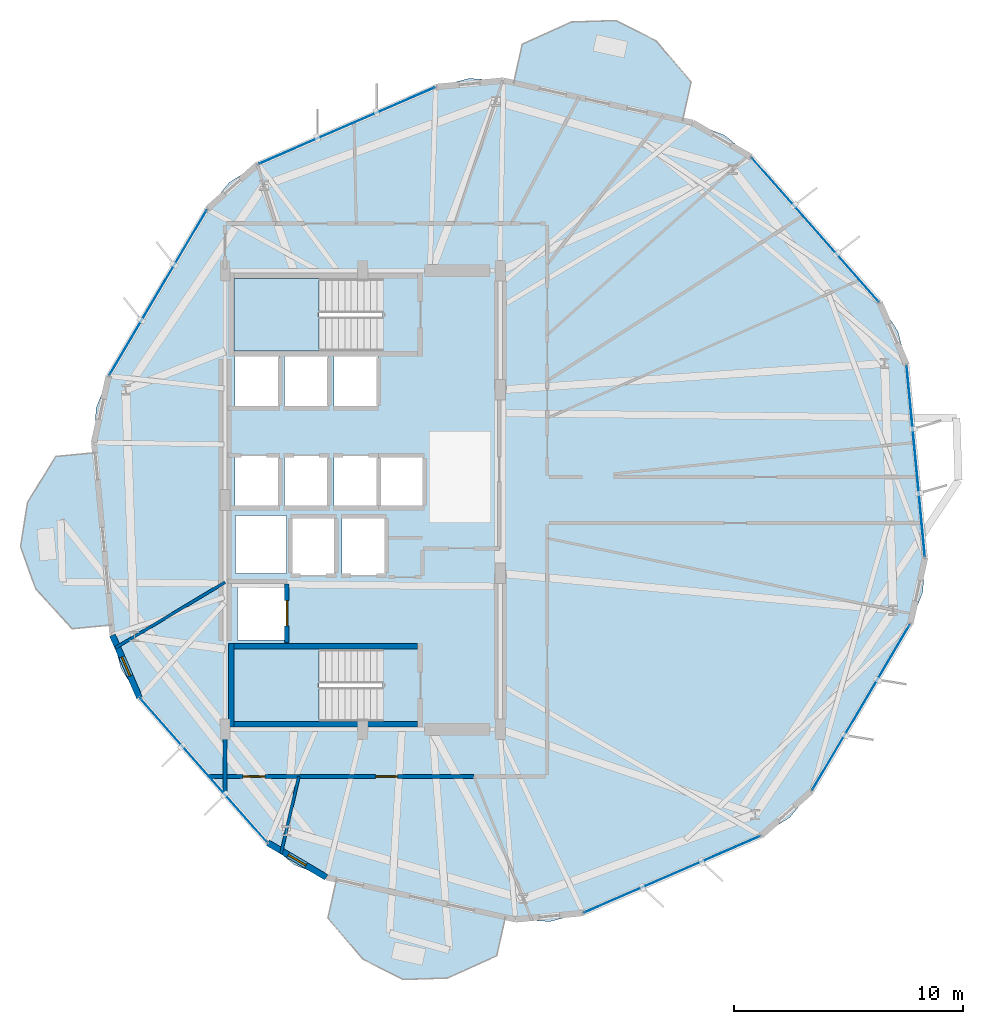
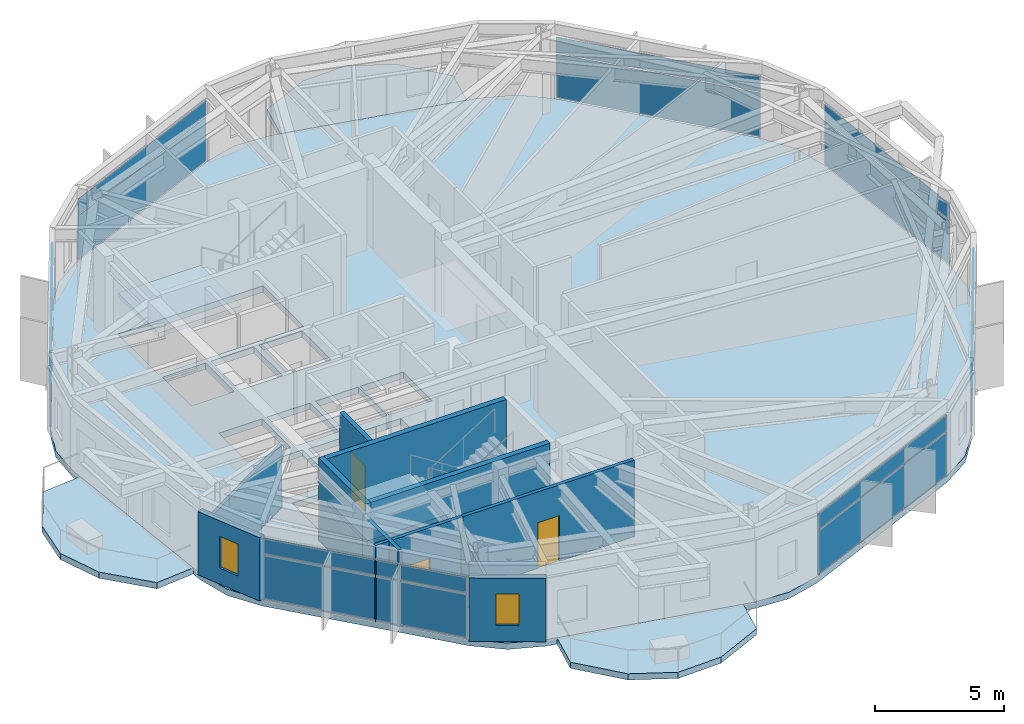
# One storey, part 17 of 23: 14 plates, 11 walls, 6 slabs, 3 doors, 2 windows, 5 openings, 9 elements without a shape of their own.
"""IFC4 building model written with IfcOpenShell, lengths in metres."""

from ifc_helpers import new_model, si_unit, direction, frame, frame_2d, origin, origin_2d, place, context, subcontext, project, spatial, polyline, rectangle, outline, extrude, material, layer, layer_set, type_object, element, fill, aggregate, save


model = new_model("IFC4")

# Units and contexts
model_context = context("Model", 3, precision=1e-05, world=origin(), true_north=direction((0.0, 1.0)))
body_context = subcontext(model_context, "Body", "Model", "MODEL_VIEW")
ifc_project = project(units=[si_unit("LENGTHUNIT", "METRE"), si_unit("AREAUNIT", "SQUARE_METRE"), si_unit("VOLUMEUNIT", "CUBIC_METRE"), si_unit("PLANEANGLEUNIT", "RADIAN"), si_unit("MASSUNIT", "GRAM", prefix="KILO")], contexts=[model_context])

# Site, building, storey
site_placement = place(None, origin())
site = spatial("IfcSite", under=ifc_project, at=site_placement, CompositionType="ELEMENT")
building_placement = place(site_placement, origin())
building = spatial("IfcBuilding", under=site, at=building_placement, Name="Soratama Intermodal Tower", CompositionType="ELEMENT")
storey_placement = place(building_placement, frame((0.0, 0.0, 118.60009765625)))
storey = spatial("IfcBuildingStorey", under=building, at=storey_placement, Name="L28", CompositionType="ELEMENT", Elevation=118.60009765625)

# Curtain wall, plates
ifc_material_1 = material(Name="Double-glazed aluminium curtain wall", Category="aluminium")
ifc_layer_1 = layer(ifc_material_1, 0.159912109375)
ifc_layer_set_1 = layer_set([ifc_layer_1], Name="Double-glazed aluminium curtain wall")
curtain_wall_type = type_object("IfcCurtainWallType", Name="CW-SYS-3", PredefinedType="NOTDEFINED", material=ifc_layer_set_1)
curtain_wall_1_placement = place(storey_placement, origin())
curtain_wall_1 = element("IfcCurtainWall", 1, at=curtain_wall_1_placement, inside=storey, type_object=curtain_wall_type, Name="L28 Faceted Curtain Wall F01", PredefinedType="NOTDEFINED")
ifc_material_2 = material(Name="Low-E laminated double glazing", Category="glass")
ifc_layer_2 = layer(ifc_material_2, 0.028076171875)
ifc_layer_set_2 = layer_set([ifc_layer_2], Name="Low-E laminated double glazing")
plate_type = type_object("IfcPlateType", Name="PT-CWP-3", PredefinedType="CURTAIN_PANEL", material=ifc_layer_set_2)
plate_1_placement = place(storey_placement, frame((58.33203125, 36.778564453125, 0.059814453125), z_axis=(0.0, 0.0, 1.0), x_axis=(-0.662097550877, 0.749417662671, 0.0)))
plate_1 = element("IfcPlate", 2, at=plate_1_placement, type_object=plate_type, Name="CW-3 panel 1.1", PredefinedType="CURTAIN_PANEL", context=body_context, shape_type="SweptSolid", body=[
    extrude(rectangle(XDim=8.3212890625, YDim=0.028076171875, at=origin_2d()), origin(), (0.0, 0.0, 1.0), 2.06005859375),
])
plate_2_placement = place(storey_placement, frame((58.33203125, 36.778564453125, 2.1796875), z_axis=(0.0, 0.0, 1.0), x_axis=(-0.662097550877, 0.749417662671, 0.0)))
plate_2 = element("IfcPlate", 3, at=plate_2_placement, type_object=plate_type, Name="CW-3 panel 1.2", PredefinedType="CURTAIN_PANEL", context=body_context, shape_type="SweptSolid", body=[
    extrude(rectangle(XDim=8.3212890625, YDim=0.028076171875, at=origin_2d()), origin(), (0.0, 0.0, 1.0), 0.739013671875),
])
aggregate(curtain_wall_1, [plate_1, plate_2])

curtain_wall_2_placement = place(storey_placement, origin())
curtain_wall_2 = element("IfcCurtainWall", 4, at=curtain_wall_2_placement, inside=storey, type_object=curtain_wall_type, Name="L28 Faceted Curtain Wall F03", PredefinedType="NOTDEFINED")
plate_3_placement = place(storey_placement, frame((37.917724609375, 41.3193359375, 0.059814453125), z_axis=(0.0, 0.0, 1.0), x_axis=(-0.917340113401, -0.398104403825, 0.0)))
plate_3 = element("IfcPlate", 5, at=plate_3_placement, type_object=plate_type, Name="CW-3 panel 1.1", PredefinedType="CURTAIN_PANEL", context=body_context, shape_type="SweptSolid", body=[
    extrude(rectangle(XDim=8.3212890625, YDim=0.028076171875, at=origin_2d()), origin(), (0.0, 0.0, 1.0), 2.06005859375),
])
plate_4_placement = place(storey_placement, frame((37.917724609375, 41.3193359375, 2.1796875), z_axis=(0.0, 0.0, 1.0), x_axis=(-0.917340113401, -0.398104403825, 0.0)))
plate_4 = element("IfcPlate", 6, at=plate_4_placement, type_object=plate_type, Name="CW-3 panel 1.2", PredefinedType="CURTAIN_PANEL", context=body_context, shape_type="SweptSolid", body=[
    extrude(rectangle(XDim=8.3212890625, YDim=0.028076171875, at=origin_2d()), origin(), (0.0, 0.0, 1.0), 0.739013671875),
])
aggregate(curtain_wall_2, [plate_3, plate_4])

curtain_wall_3_placement = place(storey_placement, origin())
curtain_wall_3 = element("IfcCurtainWall", 7, at=curtain_wall_3_placement, inside=storey, type_object=curtain_wall_type, Name="L28 Faceted Curtain Wall F04", PredefinedType="NOTDEFINED")
plate_5_placement = place(storey_placement, frame((29.677978515625, 34.039794921875, 0.059814453125), z_axis=(0.0, 0.0, 1.0), x_axis=(-0.508147280212, -0.861270190831, 0.0)))
plate_5 = element("IfcPlate", 8, at=plate_5_placement, type_object=plate_type, Name="CW-3 panel 1.1", PredefinedType="CURTAIN_PANEL", context=body_context, shape_type="SweptSolid", body=[
    extrude(rectangle(XDim=8.3212890625, YDim=0.028076171875, at=origin_2d()), origin(), (0.0, 0.0, 1.0), 2.06005859375),
])
plate_6_placement = place(storey_placement, frame((29.677978515625, 34.039794921875, 2.1796875), z_axis=(0.0, 0.0, 1.0), x_axis=(-0.508147280212, -0.861270190831, 0.0)))
plate_6 = element("IfcPlate", 9, at=plate_6_placement, type_object=plate_type, Name="CW-3 panel 1.2", PredefinedType="CURTAIN_PANEL", context=body_context, shape_type="SweptSolid", body=[
    extrude(rectangle(XDim=8.3212890625, YDim=0.028076171875, at=origin_2d()), origin(), (0.0, 0.0, 1.0), 0.739013671875),
])
aggregate(curtain_wall_3, [plate_5, plate_6])

curtain_wall_4_placement = place(storey_placement, origin())
curtain_wall_4 = element("IfcCurtainWall", 10, at=curtain_wall_4_placement, inside=storey, type_object=curtain_wall_type, Name="L28 Faceted Curtain Wall F06", PredefinedType="NOTDEFINED")
plate_7_placement = place(storey_placement, frame((31.66796875, 13.221435546875, 0.059814453125), z_axis=(0.0, 0.0, 1.0), x_axis=(0.662097550877, -0.749417662671, 0.0)))
plate_7 = element("IfcPlate", 11, at=plate_7_placement, type_object=plate_type, Name="CW-3 panel 1.1", PredefinedType="CURTAIN_PANEL", context=body_context, shape_type="SweptSolid", body=[
    extrude(rectangle(XDim=8.3212890625, YDim=0.028076171875, at=origin_2d()), origin(), (0.0, 0.0, 1.0), 2.06005859375),
])
plate_8_placement = place(storey_placement, frame((31.66796875, 13.221435546875, 2.1796875), z_axis=(0.0, 0.0, 1.0), x_axis=(0.662097550877, -0.749417662671, 0.0)))
plate_8 = element("IfcPlate", 12, at=plate_8_placement, type_object=plate_type, Name="CW-3 panel 1.2", PredefinedType="CURTAIN_PANEL", context=body_context, shape_type="SweptSolid", body=[
    extrude(rectangle(XDim=8.3212890625, YDim=0.028076171875, at=origin_2d()), origin(), (0.0, 0.0, 1.0), 0.739013671875),
])
aggregate(curtain_wall_4, [plate_7, plate_8])

curtain_wall_5_placement = place(storey_placement, origin())
curtain_wall_5 = element("IfcCurtainWall", 13, at=curtain_wall_5_placement, inside=storey, type_object=curtain_wall_type, Name="L28 Faceted Curtain Wall F08", PredefinedType="NOTDEFINED")
plate_9_placement = place(storey_placement, frame((52.082275390625, 8.6806640625, 0.059814453125), z_axis=(0.0, 0.0, 1.0), x_axis=(0.917340113401, 0.398104403825, 0.0)))
plate_9 = element("IfcPlate", 14, at=plate_9_placement, type_object=plate_type, Name="CW-3 panel 1.1", PredefinedType="CURTAIN_PANEL", context=body_context, shape_type="SweptSolid", body=[
    extrude(rectangle(XDim=8.3212890625, YDim=0.028076171875, at=origin_2d()), origin(), (0.0, 0.0, 1.0), 2.06005859375),
])
plate_10_placement = place(storey_placement, frame((52.082275390625, 8.6806640625, 2.1796875), z_axis=(0.0, 0.0, 1.0), x_axis=(0.917340113401, 0.398104403825, 0.0)))
plate_10 = element("IfcPlate", 15, at=plate_10_placement, type_object=plate_type, Name="CW-3 panel 1.2", PredefinedType="CURTAIN_PANEL", context=body_context, shape_type="SweptSolid", body=[
    extrude(rectangle(XDim=8.3212890625, YDim=0.028076171875, at=origin_2d()), origin(), (0.0, 0.0, 1.0), 0.739013671875),
])
aggregate(curtain_wall_5, [plate_9, plate_10])

curtain_wall_6_placement = place(storey_placement, origin())
curtain_wall_6 = element("IfcCurtainWall", 16, at=curtain_wall_6_placement, inside=storey, type_object=curtain_wall_type, Name="L28 Faceted Curtain Wall F09", PredefinedType="NOTDEFINED")
plate_11_placement = place(storey_placement, frame((60.322021484375, 15.960205078125, 0.059814453125), z_axis=(0.0, 0.0, 1.0), x_axis=(0.508147280212, 0.861270190831, 0.0)))
plate_11 = element("IfcPlate", 17, at=plate_11_placement, type_object=plate_type, Name="CW-3 panel 1.1", PredefinedType="CURTAIN_PANEL", context=body_context, shape_type="SweptSolid", body=[
    extrude(rectangle(XDim=8.3212890625, YDim=0.028076171875, at=origin_2d()), origin(), (0.0, 0.0, 1.0), 2.06005859375),
])
plate_12_placement = place(storey_placement, frame((60.322021484375, 15.960205078125, 2.1796875), z_axis=(0.0, 0.0, 1.0), x_axis=(0.508147280212, 0.861270190831, 0.0)))
plate_12 = element("IfcPlate", 18, at=plate_12_placement, type_object=plate_type, Name="CW-3 panel 1.2", PredefinedType="CURTAIN_PANEL", context=body_context, shape_type="SweptSolid", body=[
    extrude(rectangle(XDim=8.3212890625, YDim=0.028076171875, at=origin_2d()), origin(), (0.0, 0.0, 1.0), 0.739013671875),
])
aggregate(curtain_wall_6, [plate_11, plate_12])

curtain_wall_7_placement = place(storey_placement, origin())
curtain_wall_7 = element("IfcCurtainWall", 19, at=curtain_wall_7_placement, inside=storey, type_object=curtain_wall_type, Name="L28 Faceted Curtain Wall F10", PredefinedType="NOTDEFINED")
plate_13_placement = place(storey_placement, frame((62.708984375, 26.692626953125, 0.059814453125), z_axis=(0.0, 0.0, 1.0), x_axis=(-0.095151225082, 0.995462829223, 0.0)))
plate_13 = element("IfcPlate", 20, at=plate_13_placement, type_object=plate_type, Name="CW-3 panel 1.1", PredefinedType="CURTAIN_PANEL", context=body_context, shape_type="SweptSolid", body=[
    extrude(rectangle(XDim=8.3212890625, YDim=0.028076171875, at=origin_2d()), origin(), (0.0, 0.0, 1.0), 2.06005859375),
])
plate_14_placement = place(storey_placement, frame((62.708984375, 26.692626953125, 2.1796875), z_axis=(0.0, 0.0, 1.0), x_axis=(-0.095151225082, 0.995462829223, 0.0)))
plate_14 = element("IfcPlate", 21, at=plate_14_placement, type_object=plate_type, Name="CW-3 panel 1.2", PredefinedType="CURTAIN_PANEL", context=body_context, shape_type="SweptSolid", body=[
    extrude(rectangle(XDim=8.3212890625, YDim=0.028076171875, at=origin_2d()), origin(), (0.0, 0.0, 1.0), 0.739013671875),
])
aggregate(curtain_wall_7, [plate_13, plate_14])

# Slabs
ifc_material_3 = material(Name="Concrete f'c 42 MPa", Category="concrete")
ifc_layer_3 = layer(ifc_material_3, 0.2900390625)
ifc_layer_set_3 = layer_set([ifc_layer_3], Name="Concrete f'c 42 MPa")
slab_type_1 = type_object("IfcSlabType", Name="SL-EXT-BAL2", PredefinedType="FLOOR", material=ifc_layer_set_3)
slab_1_placement = place(storey_placement, frame((0.0, 0.0, -0.2900390625)))
element("IfcSlab", 22, at=slab_1_placement, inside=storey, type_object=slab_type_1, Name="L28 Planted Balcony North 1", PredefinedType="FLOOR", context=body_context, shape_type="SweptSolid", body=[
    extrude(outline(polyline([(52.543212890625, 41.546630859375), (45.181884765625, 43.18408203125), (45.555419921875, 44.863037109375), (47.702880859375, 45.835205078125), (49.6484375, 45.89892578125), (51.383544921875, 45.0166015625), (52.916748046875, 43.2255859375), (52.543212890625, 41.546630859375)])), origin(), (0.0, 0.0, 1.0), 0.2900390625),
])
slab_2_placement = place(storey_placement, frame((0.0, 0.0, -0.2900390625)))
element("IfcSlab", 23, at=slab_2_placement, inside=storey, type_object=slab_type_1, Name="L28 Planted Balcony West 2", PredefinedType="FLOOR", context=body_context, shape_type="SweptSolid", body=[
    extrude(outline(polyline([(26.93212890625, 27.060791015625), (27.649658203125, 19.5537109375), (25.9375, 19.39013671875), (24.349365234375, 21.132080078125), (23.687255859375, 22.962890625), (23.990478515625, 24.8857421875), (25.219970703125, 26.897216796875), (26.93212890625, 27.060791015625)])), origin(), (0.0, 0.0, 1.0), 0.2900390625),
])
slab_3_placement = place(storey_placement, frame((0.0, 0.0, -0.2900390625)))
element("IfcSlab", 24, at=slab_3_placement, inside=storey, type_object=slab_type_1, Name="L28 Planted Balcony South 3", PredefinedType="FLOOR", context=body_context, shape_type="SweptSolid", body=[
    extrude(outline(polyline([(37.456787109375, 8.453369140625), (44.818115234375, 6.81591796875), (44.444580078125, 5.136962890625), (42.297119140625, 4.164794921875), (40.3515625, 4.10107421875), (38.616455078125, 4.9833984375), (37.083251953125, 6.7744140625), (37.456787109375, 8.453369140625)])), origin(), (0.0, 0.0, 1.0), 0.2900390625),
])

# Stair, slab
ifc_material_4 = material(Name="Concrete f'c 42 MPa", Category="concrete")
stair_type = type_object("IfcStairType", Name="ST-CORE-DOGLEG", PredefinedType="HALF_TURN_STAIR", material=ifc_material_4)
stair_1_placement = place(storey_placement, origin())
stair_1 = element("IfcStair", 25, at=stair_1_placement, inside=storey, type_object=stair_type, Name="L28 ST-1", PredefinedType="HALF_TURN_STAIR")
ifc_material_5 = material(Name="Concrete f'c 42 MPa", Category="concrete")
ifc_layer_4 = layer(ifc_material_5, 0.219970703125)
ifc_layer_set_4 = layer_set([ifc_layer_4], Name="Concrete f'c 42 MPa")
slab_type_2 = type_object("IfcSlabType", Name="SL-STAIR-LAND", PredefinedType="LANDING", material=ifc_layer_set_4)
slab_4_placement = place(storey_placement, frame((0.0, 0.0, 1.75)))
slab_4 = element("IfcSlab", 26, at=slab_4_placement, type_object=slab_type_2, Name="ST-1 landing 1", PredefinedType="LANDING", context=body_context, shape_type="SweptSolid", body=[
    extrude(outline(polyline([(36.699951171875, 18.5), (33.0, 18.5), (33.0, 15.35009765625), (36.699951171875, 15.35009765625), (36.699951171875, 18.5)])), origin(), (0.0, 0.0, 1.0), 0.199951171875),
])
aggregate(stair_1, [slab_4])

stair_2_placement = place(storey_placement, origin())
stair_2 = element("IfcStair", 27, at=stair_2_placement, inside=storey, type_object=stair_type, Name="L28 ST-2", PredefinedType="HALF_TURN_STAIR")
slab_5_placement = place(storey_placement, frame((0.0, 0.0, 1.75)))
slab_5 = element("IfcSlab", 28, at=slab_5_placement, type_object=slab_type_2, Name="ST-2 landing 1", PredefinedType="LANDING", context=body_context, shape_type="SweptSolid", body=[
    extrude(outline(polyline([(36.699951171875, 34.64990234375), (33.0, 34.64990234375), (33.0, 31.5), (36.699951171875, 31.5), (36.699951171875, 34.64990234375)])), origin(), (0.0, 0.0, 1.0), 0.199951171875),
])
aggregate(stair_2, [slab_5])

# Slab
ifc_material_6 = material(Name="Concrete f'c 42 MPa", Category="concrete")
ifc_layer_5 = layer(ifc_material_6, 0.280029296875)
ifc_layer_set_5 = layer_set([ifc_layer_5], Name="Concrete f'c 42 MPa")
slab_type_3 = type_object("IfcSlabType", Name="SL-TWR-280", PredefinedType="FLOOR", material=ifc_layer_set_5)
slab_6_placement = place(storey_placement, frame((0.0, 0.0, -0.300048828125)))
element("IfcSlab", 29, at=slab_6_placement, inside=storey, type_object=slab_type_3, Name="L28 Structural Floor Slab", PredefinedType="FLOOR", context=body_context, shape_type="SweptSolid", body=[
    extrude(outline(polyline([(62.3076171875, 30.894287109375), (61.9326171875, 32.348388671875), (61.12646484375, 33.615478515625), (55.53759765625, 39.941650390625), (54.37939453125, 40.897705078125), (52.982421875, 41.448974609375), (44.74267578125, 43.28173828125), (43.24365234375, 43.37451171875), (41.78955078125, 42.99951171875), (34.0458984375, 39.638916015625), (32.77880859375, 38.8330078125), (31.82275390625, 37.6748046875), (27.533447265625, 30.404541015625), (26.98193359375, 29.0078125), (26.889404296875, 27.5087890625), (27.6923828125, 19.105712890625), (28.0673828125, 17.651611328125), (28.87353515625, 16.384521484375), (34.46240234375, 10.058349609375), (35.62060546875, 9.102294921875), (37.017578125, 8.551025390625), (45.25732421875, 6.71826171875), (46.75634765625, 6.62548828125), (48.21044921875, 7.00048828125), (55.9541015625, 10.361083984375), (57.22119140625, 11.1669921875), (58.17724609375, 12.3251953125), (62.466552734375, 19.595458984375), (63.01806640625, 20.9921875), (63.110595703125, 22.4912109375), (62.3076171875, 30.894287109375)]), holes=[polyline([(33.0, 18.5), (33.0, 15.35009765625), (39.47509765625, 15.35009765625), (39.47509765625, 18.5), (33.0, 18.5)]), polyline([(35.260009765625, 18.889892578125), (35.260009765625, 21.409912109375), (33.139892578125, 21.409912109375), (33.139892578125, 18.889892578125), (35.260009765625, 18.889892578125)]), polyline([(33.050048828125, 21.800048828125), (35.280029296875, 21.800048828125), (35.280029296875, 24.320068359375), (33.050048828125, 24.320068359375), (33.050048828125, 21.800048828125)]), polyline([(34.9599609375, 26.909912109375), (33.0400390625, 26.909912109375), (33.0400390625, 24.68994140625), (34.9599609375, 24.68994140625), (34.9599609375, 26.909912109375)]), polyline([(37.110107421875, 24.68994140625), (37.110107421875, 26.909912109375), (35.18994140625, 26.909912109375), (35.18994140625, 24.68994140625), (37.110107421875, 24.68994140625)]), polyline([(34.9599609375, 29.0400390625), (34.9599609375, 31.260009765625), (33.0400390625, 31.260009765625), (33.0400390625, 29.0400390625), (34.9599609375, 29.0400390625)]), polyline([(37.110107421875, 31.260009765625), (35.18994140625, 31.260009765625), (35.18994140625, 29.0400390625), (37.110107421875, 29.0400390625), (37.110107421875, 31.260009765625)]), polyline([(37.409912109375, 21.739990234375), (37.409912109375, 24.260009765625), (35.489990234375, 24.260009765625), (35.489990234375, 21.739990234375), (37.409912109375, 21.739990234375)]), polyline([(39.610107421875, 21.739990234375), (39.610107421875, 24.260009765625), (37.68994140625, 24.260009765625), (37.68994140625, 21.739990234375), (39.610107421875, 21.739990234375)]), polyline([(39.260009765625, 24.68994140625), (39.260009765625, 26.909912109375), (37.340087890625, 26.909912109375), (37.340087890625, 24.68994140625), (39.260009765625, 24.68994140625)]), polyline([(41.260009765625, 24.68994140625), (41.260009765625, 26.909912109375), (39.340087890625, 26.909912109375), (39.340087890625, 24.68994140625), (41.260009765625, 24.68994140625)]), polyline([(39.260009765625, 29.0400390625), (39.260009765625, 31.260009765625), (37.340087890625, 31.260009765625), (37.340087890625, 29.0400390625), (39.260009765625, 29.0400390625)]), polyline([(39.47509765625, 34.64990234375), (33.0, 34.64990234375), (33.0, 31.5), (39.47509765625, 31.5), (39.47509765625, 34.64990234375)])]), origin(), (0.0, 0.0, 1.0), 0.300048828125),
])

# Wall, opening, window
ifc_material_7 = material(Name="Concrete f'c 42 MPa", Category="concrete")
ifc_layer_6 = layer(ifc_material_7, 0.27001953125)
ifc_layer_set_6 = layer_set([ifc_layer_6], Name="Concrete f'c 42 MPa")
wall_type_1 = type_object("IfcWallType", Name="EW-CRN-270", PredefinedType="SOLIDWALL", material=ifc_layer_set_6)
wall_1_placement = place(storey_placement, frame((27.6923828125, 19.105712890625, 0.0), z_axis=(0.0, 0.0, 1.0), x_axis=(0.398166294024, -0.917313252004, 0.0)))
wall_1 = element("IfcWall", 30, at=wall_1_placement, inside=storey, type_object=wall_type_1, Name="L28 Corner Closure Wall 05", PredefinedType="SOLIDWALL", context=body_context, shape_type="SweptSolid", body=[
    extrude(rectangle(XDim=2.966552734375, YDim=0.27001953125, at=frame_2d((1.4833984375, 0.0))), origin(), (0.0, 0.0, 1.0), 2.97900390625),
])
opening_1_placement = place(wall_1_placement, frame((1.033203125, 0.0, 0.75)))
opening_1 = element("IfcOpeningElement", 31, at=opening_1_placement, cuts=wall_1, Name="Opening WN-6", PredefinedType="OPENING", context=body_context, shape_type="SweptSolid", body=[
    extrude(rectangle(XDim=0.89990234375, YDim=1.5, at=frame_2d((0.449951171875, 0.75))), frame((0.0, 0.14501953125, 0.0), z_axis=(0.0, -1.0, 0.0), x_axis=(1.0, 0.0, 0.0)), (0.0, 0.0, 1.0), 0.2900390625),
])
ifc_material_8 = material(Name="Double-glazed aluminium window", Category="aluminium")
window_type = type_object("IfcWindowType", Name="WN-FAC-900", PartitioningType="SINGLE_PANEL", PredefinedType="WINDOW", material=ifc_material_8)
window_1_placement = place(opening_1_placement, origin())
window_1 = element("IfcWindow", 32, at=window_1_placement, inside=storey, type_object=window_type, Name="L28 Corner Window 05", OverallHeight=1.5, OverallWidth=0.89990234375, PartitioningType="SINGLE_PANEL", PredefinedType="WINDOW", context=body_context, shape_type="SweptSolid", body=[
    extrude(rectangle(XDim=0.89990234375, YDim=1.5, at=frame_2d((0.449951171875, 0.75))), frame((0.0, 0.030029296875, 0.0), z_axis=(0.0, -1.0, 0.0), x_axis=(1.0, 0.0, 0.0)), (0.0, 0.0, 1.0), 0.06005859375),
])
fill(opening_1, window_1)

wall_2_placement = place(storey_placement, frame((34.46240234375, 10.058349609375, 0.0), z_axis=(0.0, 0.0, 1.0), x_axis=(0.861303111476, -0.508091478144, 0.0)))
wall_2 = element("IfcWall", 33, at=wall_2_placement, inside=storey, type_object=wall_type_1, Name="L28 Corner Closure Wall 06", PredefinedType="SOLIDWALL", context=body_context, shape_type="SweptSolid", body=[
    extrude(rectangle(XDim=2.966552734375, YDim=0.27001953125, at=frame_2d((1.4833984375, 0.0))), origin(), (0.0, 0.0, 1.0), 2.97900390625),
])
opening_2_placement = place(wall_2_placement, frame((1.033203125, 0.0, 0.75)))
opening_2 = element("IfcOpeningElement", 34, at=opening_2_placement, cuts=wall_2, Name="Opening WN-6", PredefinedType="OPENING", context=body_context, shape_type="SweptSolid", body=[
    extrude(rectangle(XDim=0.89990234375, YDim=1.5, at=frame_2d((0.449951171875, 0.75))), frame((0.0, 0.14501953125, 0.0), z_axis=(0.0, -1.0, 0.0), x_axis=(1.0, 0.0, 0.0)), (0.0, 0.0, 1.0), 0.2900390625),
])
window_2_placement = place(opening_2_placement, origin())
window_2 = element("IfcWindow", 35, at=window_2_placement, inside=storey, type_object=window_type, Name="L28 Corner Window 06", OverallHeight=1.5, OverallWidth=0.89990234375, PartitioningType="SINGLE_PANEL", PredefinedType="WINDOW", context=body_context, shape_type="SweptSolid", body=[
    extrude(rectangle(XDim=0.89990234375, YDim=1.5, at=frame_2d((0.449951171875, 0.75))), frame((0.0, 0.030029296875, 0.0), z_axis=(0.0, -1.0, 0.0), x_axis=(1.0, 0.0, 0.0)), (0.0, 0.0, 1.0), 0.06005859375),
])
fill(opening_2, window_2)

# Wall, opening, door
ifc_material_9 = material(Name="Fire-rated gypsum stud partition", Category="concrete")
ifc_layer_7 = layer(ifc_material_9, 0.159912109375)
ifc_layer_set_7 = layer_set([ifc_layer_7], Name="Fire-rated gypsum stud partition")
wall_type_2 = type_object("IfcWallType", Name="IW-PART-R160", PredefinedType="PARTITIONING", material=ifc_layer_set_7)
wall_3_placement = place(storey_placement, frame((43.455078125, 12.949951171875, 0.0), z_axis=(0.0, 0.0, 1.0), x_axis=(-1.0, 0.0, 0.0)))
wall_3 = element("IfcWall", 36, at=wall_3_placement, inside=storey, type_object=wall_type_2, Name="L28 Partition W-L28-TP010", PredefinedType="PARTITIONING", context=body_context, shape_type="SweptSolid", body=[
    extrude(rectangle(XDim=7.635986328125, YDim=0.159912109375, at=frame_2d((3.81787109375, 0.0))), origin(), (0.0, 0.0, 1.0), 3.599853515625),
])
opening_3_placement = place(wall_3_placement, frame((3.343017578125, 0.0, 0.0)))
opening_3 = element("IfcOpeningElement", 37, at=opening_3_placement, cuts=wall_3, Name="Opening ID-3", PredefinedType="OPENING", context=body_context, shape_type="SweptSolid", body=[
    extrude(rectangle(XDim=0.949951171875, YDim=2.14990234375, at=frame_2d((0.47509765625, 1.074951171875))), frame((0.0, 0.08984375, 0.0), z_axis=(0.0, -1.0, 0.0), x_axis=(1.0, 0.0, 0.0)), (0.0, 0.0, 1.0), 0.179931640625),
])
ifc_material_10 = material(Name="Solid hardwood acoustic door", Category="wood")
door_type_1 = type_object("IfcDoorType", Name="DR-ROOM-950", OperationType="NOTDEFINED", PredefinedType="DOOR", material=ifc_material_10)
door_1_placement = place(opening_3_placement, origin())
door_1 = element("IfcDoor", 38, at=door_1_placement, inside=storey, type_object=door_type_1, Name="L28 Door D-L28-TP004", OperationType="SINGLE_SWING_LEFT", OverallHeight=2.14990234375, OverallWidth=0.949951171875, PredefinedType="DOOR", context=body_context, shape_type="SweptSolid", body=[
    extrude(rectangle(XDim=0.949951171875, YDim=2.14990234375, at=frame_2d((0.47509765625, 1.074951171875))), frame((0.0, 0.02490234375, 0.0), z_axis=(0.0, -1.0, 0.0), x_axis=(1.0, 0.0, 0.0)), (0.0, 0.0, 1.0), 0.050048828125),
])
fill(opening_3, door_1)

wall_4_placement = place(storey_placement, frame((35.819091796875, 12.949951171875, 0.0), z_axis=(0.0, 0.0, 1.0), x_axis=(-1.0, 0.0, 0.0)))
wall_4 = element("IfcWall", 39, at=wall_4_placement, inside=storey, type_object=wall_type_2, Name="L28 Partition W-L28-TP018", PredefinedType="PARTITIONING", context=body_context, shape_type="SweptSolid", body=[
    extrude(rectangle(XDim=3.9111328125, YDim=0.159912109375, at=frame_2d((1.95556640625, 0.0))), origin(), (0.0, 0.0, 1.0), 3.599853515625),
])
opening_4_placement = place(wall_4_placement, frame((1.48095703125, 0.0, 0.0)))
opening_4 = element("IfcOpeningElement", 40, at=opening_4_placement, cuts=wall_4, Name="Opening ID-3", PredefinedType="OPENING", context=body_context, shape_type="SweptSolid", body=[
    extrude(rectangle(XDim=0.949951171875, YDim=2.14990234375, at=frame_2d((0.47509765625, 1.074951171875))), frame((0.0, 0.08984375, 0.0), z_axis=(0.0, -1.0, 0.0), x_axis=(1.0, 0.0, 0.0)), (0.0, 0.0, 1.0), 0.179931640625),
])
door_2_placement = place(opening_4_placement, origin())
door_2 = element("IfcDoor", 41, at=door_2_placement, inside=storey, type_object=door_type_1, Name="L28 Door D-L28-TP007", OperationType="SINGLE_SWING_RIGHT", OverallHeight=2.14990234375, OverallWidth=0.949951171875, PredefinedType="DOOR", context=body_context, shape_type="SweptSolid", body=[
    extrude(rectangle(XDim=0.949951171875, YDim=2.14990234375, at=frame_2d((0.47509765625, 1.074951171875))), frame((0.0, 0.02490234375, 0.0), z_axis=(0.0, -1.0, 0.0), x_axis=(1.0, 0.0, 0.0)), (0.0, 0.0, 1.0), 0.050048828125),
])
fill(opening_4, door_2)

# Walls
wall_5_placement = place(storey_placement, frame((32.60009765625, 12.1669921875, 0.0), z_axis=(0.0, 0.0, 1.0), x_axis=(0.0, 1.0, 0.0)))
element("IfcWall", 42, at=wall_5_placement, inside=storey, type_object=wall_type_2, Name="L28 Partition W-L28-TP024", PredefinedType="PARTITIONING", context=body_context, shape_type="SweptSolid", body=[
    extrude(rectangle(XDim=2.762939453125, YDim=0.159912109375, at=frame_2d((1.38134765625, 0.0))), origin(), (0.0, 0.0, 1.0), 3.599853515625),
])
ifc_material_11 = material(Name="Fire-rated gypsum stud partition", Category="concrete")
ifc_layer_8 = layer(ifc_material_11, 0.1298828125)
ifc_layer_set_8 = layer_set([ifc_layer_8], Name="Fire-rated gypsum stud partition")
wall_type_3 = type_object("IfcWallType", Name="IW-PART-S130", PredefinedType="PARTITIONING", material=ifc_layer_set_8)
wall_6_placement = place(storey_placement, frame((32.60009765625, 21.410888671875, 0.0), z_axis=(0.0, 0.0, 1.0), x_axis=(-0.858317966337, -0.513118181965, 0.0)))
element("IfcWall", 43, at=wall_6_placement, inside=storey, type_object=wall_type_3, Name="L28 Partition W-L28-TP015", PredefinedType="PARTITIONING", context=body_context, shape_type="SweptSolid", body=[
    extrude(rectangle(XDim=5.553955078125, YDim=0.1298828125, at=frame_2d((2.77685546875, 0.0))), origin(), (0.0, 0.0, 1.0), 2.977783203125),
])
wall_7_placement = place(storey_placement, frame((35.819091796875, 12.949951171875, 0.0), z_axis=(0.0, 0.0, 1.0), x_axis=(-0.225364962309, -0.974274413994, 0.0)))
element("IfcWall", 44, at=wall_7_placement, inside=storey, type_object=wall_type_3, Name="L28 Partition W-L28-TP020", PredefinedType="PARTITIONING", context=body_context, shape_type="SweptSolid", body=[
    extrude(rectangle(XDim=3.456787109375, YDim=0.1298828125, at=frame_2d((1.728515625, 0.0))), origin(), (0.0, 0.0, 1.0), 2.89501953125),
])

# Wall, opening, door
ifc_material_12 = material(Name="Concrete f'c 42 MPa", Category="concrete")
ifc_layer_9 = layer(ifc_material_12, 0.199951171875)
ifc_layer_set_9 = layer_set([ifc_layer_9], Name="Concrete f'c 42 MPa")
wall_type_4 = type_object("IfcWallType", Name="IW-SHAFT-200", PredefinedType="SOLIDWALL", material=ifc_layer_set_9)
wall_8_placement = place(storey_placement, frame((35.300048828125, 18.7900390625, 0.0), z_axis=(0.0, 0.0, 1.0), x_axis=(0.0, 1.0, 0.0)))
wall_8 = element("IfcWall", 45, at=wall_8_placement, inside=storey, type_object=wall_type_4, Name="L28 SVL-1 Hoistway Wall E", PredefinedType="SOLIDWALL", context=body_context, shape_type="SweptSolid", body=[
    extrude(rectangle(XDim=2.550048828125, YDim=0.199951171875, at=frame_2d((1.27490234375, 0.0))), origin(), (0.0, 0.0, 1.0), 3.599853515625),
])
opening_5_placement = place(wall_8_placement, frame((0.72509765625, 0.0, 0.0)))
opening_5 = element("IfcOpeningElement", 46, at=opening_5_placement, cuts=wall_8, Name="Opening LD-1", PredefinedType="OPENING", context=body_context, shape_type="SweptSolid", body=[
    extrude(rectangle(XDim=1.10009765625, YDim=2.14990234375, at=frame_2d((0.550048828125, 1.074951171875))), frame((0.0, 0.10986328125, 0.0), z_axis=(0.0, -1.0, 0.0), x_axis=(1.0, 0.0, 0.0)), (0.0, 0.0, 1.0), 0.219970703125),
])
ifc_material_13 = material(Name="Steel fire door", Category="steel")
door_type_2 = type_object("IfcDoorType", Name="DR-LIFT-SLIDE", OperationType="NOTDEFINED", PredefinedType="DOOR", material=ifc_material_13)
door_3_placement = place(opening_5_placement, origin())
door_3 = element("IfcDoor", 47, at=door_3_placement, inside=storey, type_object=door_type_2, Name="L28 SVL-1 Sliding Landing Door", OperationType="SLIDING_TO_LEFT", OverallHeight=2.14990234375, OverallWidth=1.10009765625, PredefinedType="DOOR", context=body_context, shape_type="SweptSolid", body=[
    extrude(rectangle(XDim=1.10009765625, YDim=2.14990234375, at=frame_2d((0.550048828125, 1.074951171875))), frame((0.0, 0.02490234375, 0.0), z_axis=(0.0, -1.0, 0.0), x_axis=(1.0, 0.0, 0.0)), (0.0, 0.0, 1.0), 0.050048828125),
])
fill(opening_5, door_3)

# Walls
ifc_material_14 = material(Name="Concrete f'c 56 MPa", Category="concrete")
ifc_layer_10 = layer(ifc_material_14, 0.239990234375)
ifc_layer_set_10 = layer_set([ifc_layer_10], Name="Concrete f'c 56 MPa")
wall_type_5 = type_object("IfcWallType", Name="SW-STAIR-240", PredefinedType="SHEAR", material=ifc_layer_set_10)
wall_9_placement = place(storey_placement, frame((32.8798828125, 15.110107421875, 0.0), z_axis=(0.0, 0.0, 1.0), x_axis=(0.0, 1.0, 0.0)))
element("IfcWall", 48, at=wall_9_placement, inside=storey, type_object=wall_type_5, Name="L28 ST-1 Shaft Shear Wall W", PredefinedType="SHEAR", context=body_context, shape_type="SweptSolid", body=[
    extrude(rectangle(XDim=3.6298828125, YDim=0.239990234375, at=frame_2d((1.81494140625, 0.0))), origin(), (0.0, 0.0, 1.0), 3.89990234375),
])
for number, where, z_axis, x_axis, name in (
    (49, (33.0, 15.22998046875, 0.0), (0.0, 0.0, 1.0), (1.0, 0.0, 0.0), "L28 ST-1 Shaft Shear Wall S"),
    (50, (33.0, 18.6201171875, 0.0), (0.0, 0.0, 1.0), (1.0, 0.0, 0.0), "L28 ST-1 Shaft Shear Wall N"),
):
    element("IfcWall", number, at=place(storey_placement, frame(where, z_axis=z_axis, x_axis=x_axis)), inside=storey, type_object=wall_type_5, Name=name, PredefinedType="SHEAR", context=body_context, shape_type="SweptSolid", body=[
        extrude(rectangle(XDim=8.0, YDim=0.239990234375, at=frame_2d((4.0, 0.0))), origin(), (0.0, 0.0, 1.0), 3.89990234375),
    ])

save(model, "model.ifc")
